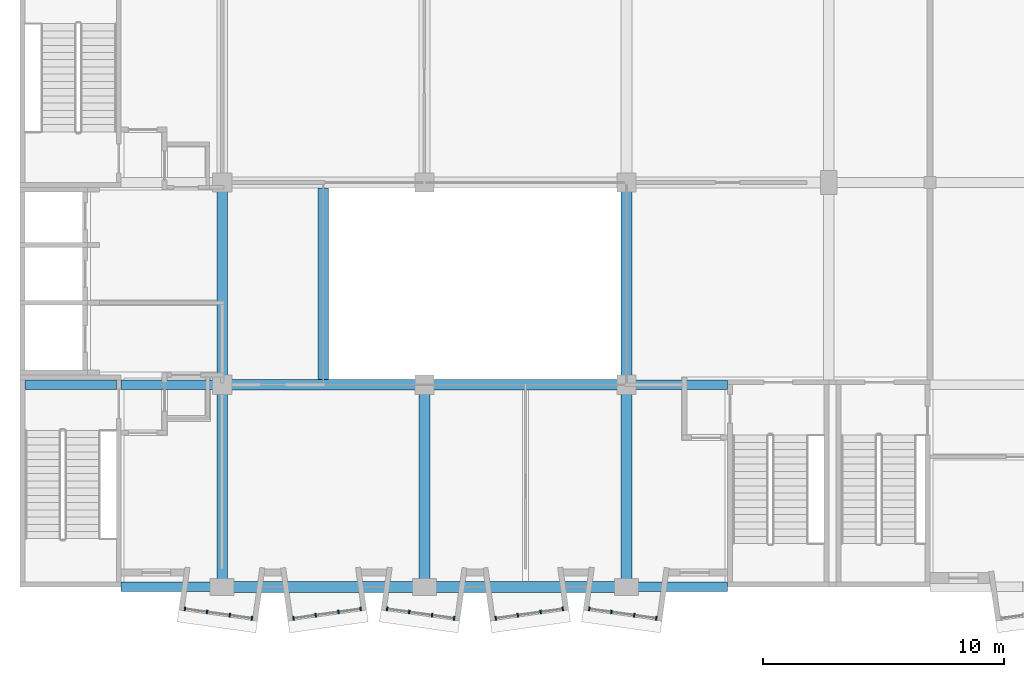
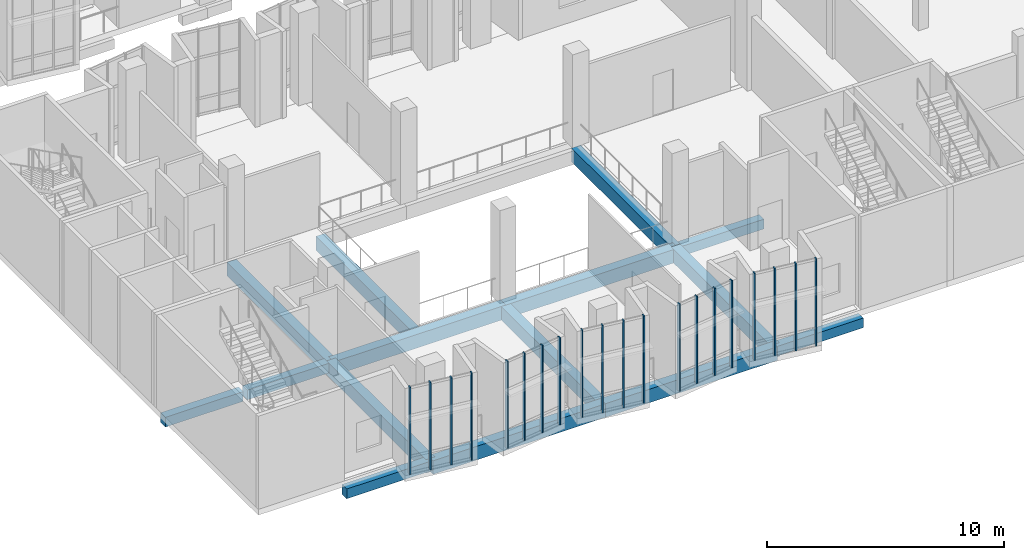
# One storey, part 3 of 86: 20 members, 15 beams, 5 elements without a shape of their own.
"""IFC4 building model written with IfcOpenShell, lengths in metres."""

from ifc_helpers import new_model, si_unit, direction, frame, origin, origin_2d, place, context, subcontext, project, spatial, rectangle, extrude, material, layer, layer_set, material_profile, profile_set, type_object, element, aggregate, save


model = new_model("IFC4")

# Units and contexts
model_context = context("Model", 3, precision=1e-05, world=origin(), true_north=direction((0.0, 1.0)))
body_context = subcontext(model_context, "Body", "Model", "MODEL_VIEW")
ifc_project = project(units=[si_unit("LENGTHUNIT", "METRE"), si_unit("AREAUNIT", "SQUARE_METRE"), si_unit("VOLUMEUNIT", "CUBIC_METRE"), si_unit("PLANEANGLEUNIT", "RADIAN"), si_unit("MASSUNIT", "GRAM", prefix="KILO")], contexts=[model_context])

# Site, building, storey
site_placement = place(None, origin())
site = spatial("IfcSite", under=ifc_project, at=site_placement, CompositionType="ELEMENT")
building_placement = place(site_placement, origin())
building = spatial("IfcBuilding", under=site, at=building_placement, Name="Kiln Court Media Centre", CompositionType="ELEMENT")
storey_placement = place(building_placement, frame((0.0, 0.0, 10.199951171875)))
storey = spatial("IfcBuildingStorey", under=building, at=storey_placement, Name="L02", CompositionType="ELEMENT", Elevation=10.199951171875)

# Curtain wall, members
ifc_material_1 = material(Name="Aluminium 6063-T6", Category="aluminium")
ifc_layer = layer(ifc_material_1, 0.1201171875)
ifc_layer_set = layer_set([ifc_layer], Name="Aluminium unitised bay curtain wall")
curtain_wall_type = type_object("IfcCurtainWallType", Name="Aluminium unitised bay curtain wall", PredefinedType="USERDEFINED", material=ifc_layer_set)
curtain_wall_1_placement = place(storey_placement, origin())
curtain_wall_1 = element("IfcCurtainWall", 1, at=curtain_wall_1_placement, inside=storey, type_object=curtain_wall_type, Name="BAY V6A-S-L02-10 front", ObjectType="UNITISED CURTAIN WALL", PredefinedType="USERDEFINED")
ifc_material_2 = material(Name="Aluminium 6063-T6", Category="aluminium")
ifc_material_profile_1 = material_profile(ifc_material_2, rectangle(XDim=0.06005859375, YDim=0.159912109375, at=origin_2d()), Name="Aluminium mullion 60x160")
ifc_profile_set_1 = profile_set([ifc_material_profile_1], Name="Aluminium 6063-T6")
member_type = type_object("IfcMemberType", Name="Aluminium mullion 60x160", PredefinedType="MULLION", material=ifc_profile_set_1)
member_1_placement = place(storey_placement, frame((6.852783203125, -0.91357421875, 0.0), z_axis=(0.0, 0.0, 1.0), x_axis=(0.990269562409, -0.139162472554, 0.0)))
member_1 = element("IfcMember", 2, at=member_1_placement, type_object=member_type, Name="CW2-08 mullion 1", PredefinedType="MULLION", context=body_context, shape_type="SweptSolid", body=[
    extrude(rectangle(XDim=0.06005859375, YDim=0.159912109375, at=origin_2d()), origin(), (0.0, 0.0, 1.0), 4.5),
])
member_2_placement = place(storey_placement, frame((7.7705078125, -1.04248046875, 0.0), z_axis=(0.0, 0.0, 1.0), x_axis=(0.990269562409, -0.139162472554, 0.0)))
member_2 = element("IfcMember", 3, at=member_2_placement, type_object=member_type, Name="CW2-08 mullion 2", PredefinedType="MULLION", context=body_context, shape_type="SweptSolid", body=[
    extrude(rectangle(XDim=0.06005859375, YDim=0.159912109375, at=origin_2d()), origin(), (0.0, 0.0, 1.0), 4.5),
])
member_3_placement = place(storey_placement, frame((8.7177734375, -1.17578125, 0.0), z_axis=(0.0, 0.0, 1.0), x_axis=(0.990269562409, -0.139162472554, 0.0)))
member_3 = element("IfcMember", 4, at=member_3_placement, type_object=member_type, Name="CW2-08 mullion 3", PredefinedType="MULLION", context=body_context, shape_type="SweptSolid", body=[
    extrude(rectangle(XDim=0.06005859375, YDim=0.159912109375, at=origin_2d()), origin(), (0.0, 0.0, 1.0), 4.5),
])
member_4_placement = place(storey_placement, frame((9.635498046875, -1.3046875, 0.0), z_axis=(0.0, 0.0, 1.0), x_axis=(0.990269562409, -0.139162472554, 0.0)))
member_4 = element("IfcMember", 5, at=member_4_placement, type_object=member_type, Name="CW2-08 mullion 4", PredefinedType="MULLION", context=body_context, shape_type="SweptSolid", body=[
    extrude(rectangle(XDim=0.06005859375, YDim=0.159912109375, at=origin_2d()), origin(), (0.0, 0.0, 1.0), 4.5),
])
aggregate(curtain_wall_1, [member_1, member_2, member_3, member_4])

curtain_wall_2_placement = place(storey_placement, origin())
curtain_wall_2 = element("IfcCurtainWall", 6, at=curtain_wall_2_placement, inside=storey, type_object=curtain_wall_type, Name="BAY V6A-S-L02-11 front", ObjectType="UNITISED CURTAIN WALL", PredefinedType="USERDEFINED")
member_5_placement = place(storey_placement, frame((11.364501953125, -1.3046875, 0.0), z_axis=(0.0, 0.0, 1.0), x_axis=(0.990269562409, 0.139162472554, 0.0)))
member_5 = element("IfcMember", 7, at=member_5_placement, type_object=member_type, Name="CW2-09 mullion 1", PredefinedType="MULLION", context=body_context, shape_type="SweptSolid", body=[
    extrude(rectangle(XDim=0.06005859375, YDim=0.159912109375, at=origin_2d()), origin(), (0.0, 0.0, 1.0), 4.5),
])
member_6_placement = place(storey_placement, frame((12.2822265625, -1.17578125, 0.0), z_axis=(0.0, 0.0, 1.0), x_axis=(0.990269562409, 0.139162472554, 0.0)))
member_6 = element("IfcMember", 8, at=member_6_placement, type_object=member_type, Name="CW2-09 mullion 2", PredefinedType="MULLION", context=body_context, shape_type="SweptSolid", body=[
    extrude(rectangle(XDim=0.06005859375, YDim=0.159912109375, at=origin_2d()), origin(), (0.0, 0.0, 1.0), 4.5),
])
member_7_placement = place(storey_placement, frame((13.2294921875, -1.04248046875, 0.0), z_axis=(0.0, 0.0, 1.0), x_axis=(0.990269562409, 0.139162472554, 0.0)))
member_7 = element("IfcMember", 9, at=member_7_placement, type_object=member_type, Name="CW2-09 mullion 3", PredefinedType="MULLION", context=body_context, shape_type="SweptSolid", body=[
    extrude(rectangle(XDim=0.06005859375, YDim=0.159912109375, at=origin_2d()), origin(), (0.0, 0.0, 1.0), 4.5),
])
member_8_placement = place(storey_placement, frame((14.147216796875, -0.91357421875, 0.0), z_axis=(0.0, 0.0, 1.0), x_axis=(0.990269562409, 0.139162472554, 0.0)))
member_8 = element("IfcMember", 10, at=member_8_placement, type_object=member_type, Name="CW2-09 mullion 4", PredefinedType="MULLION", context=body_context, shape_type="SweptSolid", body=[
    extrude(rectangle(XDim=0.06005859375, YDim=0.159912109375, at=origin_2d()), origin(), (0.0, 0.0, 1.0), 4.5),
])
aggregate(curtain_wall_2, [member_5, member_6, member_7, member_8])

curtain_wall_3_placement = place(storey_placement, origin())
curtain_wall_3 = element("IfcCurtainWall", 11, at=curtain_wall_3_placement, inside=storey, type_object=curtain_wall_type, Name="BAY V6A-S-L02-12 front", ObjectType="UNITISED CURTAIN WALL", PredefinedType="USERDEFINED")
member_9_placement = place(storey_placement, frame((15.2529296875, -0.91357421875, 0.0), z_axis=(0.0, 0.0, 1.0), x_axis=(0.990269562409, -0.139162472554, 0.0)))
member_9 = element("IfcMember", 12, at=member_9_placement, type_object=member_type, Name="CW2-10 mullion 1", PredefinedType="MULLION", context=body_context, shape_type="SweptSolid", body=[
    extrude(rectangle(XDim=0.06005859375, YDim=0.159912109375, at=origin_2d()), origin(), (0.0, 0.0, 1.0), 4.5),
])
member_10_placement = place(storey_placement, frame((16.17041015625, -1.04248046875, 0.0), z_axis=(0.0, 0.0, 1.0), x_axis=(0.990269562409, -0.139162472554, 0.0)))
member_10 = element("IfcMember", 13, at=member_10_placement, type_object=member_type, Name="CW2-10 mullion 2", PredefinedType="MULLION", context=body_context, shape_type="SweptSolid", body=[
    extrude(rectangle(XDim=0.06005859375, YDim=0.159912109375, at=origin_2d()), origin(), (0.0, 0.0, 1.0), 4.5),
])
member_11_placement = place(storey_placement, frame((17.117919921875, -1.17578125, 0.0), z_axis=(0.0, 0.0, 1.0), x_axis=(0.990269562409, -0.139162472554, 0.0)))
member_11 = element("IfcMember", 14, at=member_11_placement, type_object=member_type, Name="CW2-10 mullion 3", PredefinedType="MULLION", context=body_context, shape_type="SweptSolid", body=[
    extrude(rectangle(XDim=0.06005859375, YDim=0.159912109375, at=origin_2d()), origin(), (0.0, 0.0, 1.0), 4.5),
])
member_12_placement = place(storey_placement, frame((18.035400390625, -1.3046875, 0.0), z_axis=(0.0, 0.0, 1.0), x_axis=(0.990269562409, -0.139162472554, 0.0)))
member_12 = element("IfcMember", 15, at=member_12_placement, type_object=member_type, Name="CW2-10 mullion 4", PredefinedType="MULLION", context=body_context, shape_type="SweptSolid", body=[
    extrude(rectangle(XDim=0.06005859375, YDim=0.159912109375, at=origin_2d()), origin(), (0.0, 0.0, 1.0), 4.5),
])
aggregate(curtain_wall_3, [member_9, member_10, member_11, member_12])

curtain_wall_4_placement = place(storey_placement, origin())
curtain_wall_4 = element("IfcCurtainWall", 16, at=curtain_wall_4_placement, inside=storey, type_object=curtain_wall_type, Name="BAY V6A-S-L02-13 front", ObjectType="UNITISED CURTAIN WALL", PredefinedType="USERDEFINED")
member_13_placement = place(storey_placement, frame((19.764404296875, -1.3046875, 0.0), z_axis=(0.0, 0.0, 1.0), x_axis=(0.990269562409, 0.139162472554, 0.0)))
member_13 = element("IfcMember", 17, at=member_13_placement, type_object=member_type, Name="CW2-11 mullion 1", PredefinedType="MULLION", context=body_context, shape_type="SweptSolid", body=[
    extrude(rectangle(XDim=0.06005859375, YDim=0.159912109375, at=origin_2d()), origin(), (0.0, 0.0, 1.0), 4.5),
])
member_14_placement = place(storey_placement, frame((20.68212890625, -1.17578125, 0.0), z_axis=(0.0, 0.0, 1.0), x_axis=(0.990269562409, 0.139162472554, 0.0)))
member_14 = element("IfcMember", 18, at=member_14_placement, type_object=member_type, Name="CW2-11 mullion 2", PredefinedType="MULLION", context=body_context, shape_type="SweptSolid", body=[
    extrude(rectangle(XDim=0.06005859375, YDim=0.159912109375, at=origin_2d()), origin(), (0.0, 0.0, 1.0), 4.5),
])
member_15_placement = place(storey_placement, frame((21.629638671875, -1.04248046875, 0.0), z_axis=(0.0, 0.0, 1.0), x_axis=(0.990269562409, 0.139162472554, 0.0)))
member_15 = element("IfcMember", 19, at=member_15_placement, type_object=member_type, Name="CW2-11 mullion 3", PredefinedType="MULLION", context=body_context, shape_type="SweptSolid", body=[
    extrude(rectangle(XDim=0.06005859375, YDim=0.159912109375, at=origin_2d()), origin(), (0.0, 0.0, 1.0), 4.5),
])
member_16_placement = place(storey_placement, frame((22.547119140625, -0.91357421875, 0.0), z_axis=(0.0, 0.0, 1.0), x_axis=(0.990269562409, 0.139162472554, 0.0)))
member_16 = element("IfcMember", 20, at=member_16_placement, type_object=member_type, Name="CW2-11 mullion 4", PredefinedType="MULLION", context=body_context, shape_type="SweptSolid", body=[
    extrude(rectangle(XDim=0.06005859375, YDim=0.159912109375, at=origin_2d()), origin(), (0.0, 0.0, 1.0), 4.5),
])
aggregate(curtain_wall_4, [member_13, member_14, member_15, member_16])

curtain_wall_5_placement = place(storey_placement, origin())
curtain_wall_5 = element("IfcCurtainWall", 21, at=curtain_wall_5_placement, inside=storey, type_object=curtain_wall_type, Name="BAY V6A-S-L02-14 front", ObjectType="UNITISED CURTAIN WALL", PredefinedType="USERDEFINED")
member_17_placement = place(storey_placement, frame((23.65283203125, -0.91357421875, 0.0), z_axis=(0.0, 0.0, 1.0), x_axis=(0.990269562409, -0.139162472554, 0.0)))
member_17 = element("IfcMember", 22, at=member_17_placement, type_object=member_type, Name="CW2-12 mullion 1", PredefinedType="MULLION", context=body_context, shape_type="SweptSolid", body=[
    extrude(rectangle(XDim=0.06005859375, YDim=0.159912109375, at=origin_2d()), origin(), (0.0, 0.0, 1.0), 4.5),
])
member_18_placement = place(storey_placement, frame((24.570556640625, -1.04248046875, 0.0), z_axis=(0.0, 0.0, 1.0), x_axis=(0.990269562409, -0.139162472554, 0.0)))
member_18 = element("IfcMember", 23, at=member_18_placement, type_object=member_type, Name="CW2-12 mullion 2", PredefinedType="MULLION", context=body_context, shape_type="SweptSolid", body=[
    extrude(rectangle(XDim=0.06005859375, YDim=0.159912109375, at=origin_2d()), origin(), (0.0, 0.0, 1.0), 4.5),
])
member_19_placement = place(storey_placement, frame((25.517822265625, -1.17578125, 0.0), z_axis=(0.0, 0.0, 1.0), x_axis=(0.990269562409, -0.139162472554, 0.0)))
member_19 = element("IfcMember", 24, at=member_19_placement, type_object=member_type, Name="CW2-12 mullion 3", PredefinedType="MULLION", context=body_context, shape_type="SweptSolid", body=[
    extrude(rectangle(XDim=0.06005859375, YDim=0.159912109375, at=origin_2d()), origin(), (0.0, 0.0, 1.0), 4.5),
])
member_20_placement = place(storey_placement, frame((26.435546875, -1.3046875, 0.0), z_axis=(0.0, 0.0, 1.0), x_axis=(0.990269562409, -0.139162472554, 0.0)))
member_20 = element("IfcMember", 25, at=member_20_placement, type_object=member_type, Name="CW2-12 mullion 4", PredefinedType="MULLION", context=body_context, shape_type="SweptSolid", body=[
    extrude(rectangle(XDim=0.06005859375, YDim=0.159912109375, at=origin_2d()), origin(), (0.0, 0.0, 1.0), 4.5),
])
aggregate(curtain_wall_5, [member_17, member_18, member_19, member_20])

# Beams
ifc_material_3 = material(Name="Concrete C30/37", Category="concrete")
ifc_material_profile_2 = material_profile(ifc_material_3, rectangle(XDim=0.39990234375, YDim=0.5, at=origin_2d()), Name="RC 400x500")
ifc_profile_set_2 = profile_set([ifc_material_profile_2], Name="Concrete C30/37")
beam_type_1 = type_object("IfcBeamType", Name="Concrete C30/37 beam 400x500", PredefinedType="BEAM", material=ifc_profile_set_2)
for number, where, z_axis, x_axis, name in (
    (26, (4.199951171875, 0.0, -0.550048828125), (1.0, 0.0, 0.0), (0.0, 1.0, 0.0), "L02-B-1010"),
    (27, (25.199951171875, 0.0, -0.550048828125), (1.0, 0.0, 0.0), (0.0, 1.0, 0.0), "L02-B-1013"),
):
    element("IfcBeam", number, at=place(storey_placement, frame(where, z_axis=z_axis, x_axis=x_axis)), inside=storey, type_object=beam_type_1, Name=name, PredefinedType="BEAM", context=body_context, shape_type="SweptSolid", body=[
        extrude(rectangle(XDim=0.39990234375, YDim=0.5, at=origin_2d()), origin(), (0.0, 0.0, 1.0), 4.199951171875),
    ])
beam_1_placement = place(storey_placement, frame((0.199951171875, 8.39990234375, -0.550048828125), z_axis=(1.0, 0.0, 0.0), x_axis=(0.0, 1.0, 0.0)))
element("IfcBeam", 28, at=beam_1_placement, inside=storey, type_object=beam_type_1, Name="L02-B-1014", PredefinedType="BEAM", context=body_context, shape_type="SweptSolid", body=[
    extrude(rectangle(XDim=0.39990234375, YDim=0.5, at=origin_2d()), origin(), (0.0, 0.0, 1.0), 3.800048828125),
])
for number, where, z_axis, x_axis, name in (
    (29, (4.199951171875, 8.39990234375, -0.550048828125), (1.0, 0.0, 0.0), (0.0, 1.0, 0.0), "L02-B-1015"),
    (30, (25.199951171875, 8.39990234375, -0.550048828125), (1.0, 0.0, 0.0), (0.0, 1.0, 0.0), "L02-B-1018"),
):
    element("IfcBeam", number, at=place(storey_placement, frame(where, z_axis=z_axis, x_axis=x_axis)), inside=storey, type_object=beam_type_1, Name=name, PredefinedType="BEAM", context=body_context, shape_type="SweptSolid", body=[
        extrude(rectangle(XDim=0.39990234375, YDim=0.5, at=origin_2d()), origin(), (0.0, 0.0, 1.0), 4.199951171875),
    ])
ifc_material_4 = material(Name="Concrete C30/37", Category="concrete")
ifc_material_profile_3 = material_profile(ifc_material_4, rectangle(XDim=0.449951171875, YDim=0.699951171875, at=origin_2d()), Name="RC 450x700")
ifc_profile_set_3 = profile_set([ifc_material_profile_3], Name="Concrete C30/37")
beam_type_2 = type_object("IfcBeamType", Name="Concrete C30/37 beam 450x700", PredefinedType="BEAM", material=ifc_profile_set_3)
beam_2_placement = place(storey_placement, frame((8.39990234375, 0.0, -0.64990234375), z_axis=(0.0, 1.0, 0.0), x_axis=(-1.0, 0.0, 0.0)))
element("IfcBeam", 31, at=beam_2_placement, inside=storey, type_object=beam_type_2, Name="L02-B-1000", PredefinedType="BEAM", context=body_context, shape_type="SweptSolid", body=[
    extrude(rectangle(XDim=0.449951171875, YDim=0.699951171875, at=origin_2d()), origin(), (0.0, 0.0, 1.0), 8.39990234375),
])
beam_3_placement = place(storey_placement, frame((8.39990234375, 8.39990234375, -0.64990234375), z_axis=(0.0, 1.0, 0.0), x_axis=(-1.0, 0.0, 0.0)))
element("IfcBeam", 32, at=beam_3_placement, inside=storey, type_object=beam_type_2, Name="L02-B-1001", PredefinedType="BEAM", context=body_context, shape_type="SweptSolid", body=[
    extrude(rectangle(XDim=0.449951171875, YDim=0.699951171875, at=origin_2d()), origin(), (0.0, 0.0, 1.0), 8.400146484375),
])
for number, where, z_axis, x_axis, name in (
    (33, (16.800048828125, 0.0, -0.64990234375), (0.0, 1.0, 0.0), (-1.0, 0.0, 0.0), "L02-B-1003"),
    (34, (25.199951171875, 0.0, -0.64990234375), (0.0, 1.0, 0.0), (-1.0, 0.0, 0.0), "L02-B-1005"),
):
    element("IfcBeam", number, at=place(storey_placement, frame(where, z_axis=z_axis, x_axis=x_axis)), inside=storey, type_object=beam_type_2, Name=name, PredefinedType="BEAM", context=body_context, shape_type="SweptSolid", body=[
        extrude(rectangle(XDim=0.449951171875, YDim=0.699951171875, at=origin_2d()), origin(), (0.0, 0.0, 1.0), 8.39990234375),
    ])
for number, where, z_axis, x_axis, name in (
    (35, (25.199951171875, 8.39990234375, -0.64990234375), (0.0, 1.0, 0.0), (-1.0, 0.0, 0.0), "L02-B-1006"),
    (36, (8.39990234375, 0.0, -0.64990234375), (1.0, 0.0, 0.0), (0.0, 1.0, 0.0), "L02-B-1011"),
):
    element("IfcBeam", number, at=place(storey_placement, frame(where, z_axis=z_axis, x_axis=x_axis)), inside=storey, type_object=beam_type_2, Name=name, PredefinedType="BEAM", context=body_context, shape_type="SweptSolid", body=[
        extrude(rectangle(XDim=0.449951171875, YDim=0.699951171875, at=origin_2d()), origin(), (0.0, 0.0, 1.0), 8.400146484375),
    ])
beam_4_placement = place(storey_placement, frame((16.800048828125, 0.0, -0.64990234375), z_axis=(1.0, 0.0, 0.0), x_axis=(0.0, 1.0, 0.0)))
element("IfcBeam", 37, at=beam_4_placement, inside=storey, type_object=beam_type_2, Name="L02-B-1012", PredefinedType="BEAM", context=body_context, shape_type="SweptSolid", body=[
    extrude(rectangle(XDim=0.449951171875, YDim=0.699951171875, at=origin_2d()), origin(), (0.0, 0.0, 1.0), 8.39990234375),
])
beam_5_placement = place(storey_placement, frame((8.39990234375, 8.39990234375, -0.64990234375), z_axis=(1.0, 0.0, 0.0), x_axis=(0.0, 1.0, 0.0)))
element("IfcBeam", 38, at=beam_5_placement, inside=storey, type_object=beam_type_2, Name="L02-B-1016", PredefinedType="BEAM", context=body_context, shape_type="SweptSolid", body=[
    extrude(rectangle(XDim=0.449951171875, YDim=0.699951171875, at=origin_2d()), origin(), (0.0, 0.0, 1.0), 8.400146484375),
])
beam_6_placement = place(storey_placement, frame((16.800048828125, 8.39990234375, -0.64990234375), z_axis=(1.0, 0.0, 0.0), x_axis=(0.0, 1.0, 0.0)))
element("IfcBeam", 39, at=beam_6_placement, inside=storey, type_object=beam_type_2, Name="L02-B-1017", PredefinedType="BEAM", context=body_context, shape_type="SweptSolid", body=[
    extrude(rectangle(XDim=0.449951171875, YDim=0.699951171875, at=origin_2d()), origin(), (0.0, 0.0, 1.0), 8.39990234375),
])
beam_7_placement = place(storey_placement, frame((12.60009765625, 16.574951171875, -0.64990234375), z_axis=(0.0, -1.0, 0.0), x_axis=(1.0, 0.0, 0.0)))
element("IfcBeam", 40, at=beam_7_placement, inside=storey, type_object=beam_type_2, Name="L02-B-1027", PredefinedType="BEAM", context=body_context, shape_type="SweptSolid", body=[
    extrude(rectangle(XDim=0.449951171875, YDim=0.699951171875, at=origin_2d()), origin(), (0.0, 0.0, 1.0), 7.949951171875),
])

save(model, "model.ifc")
